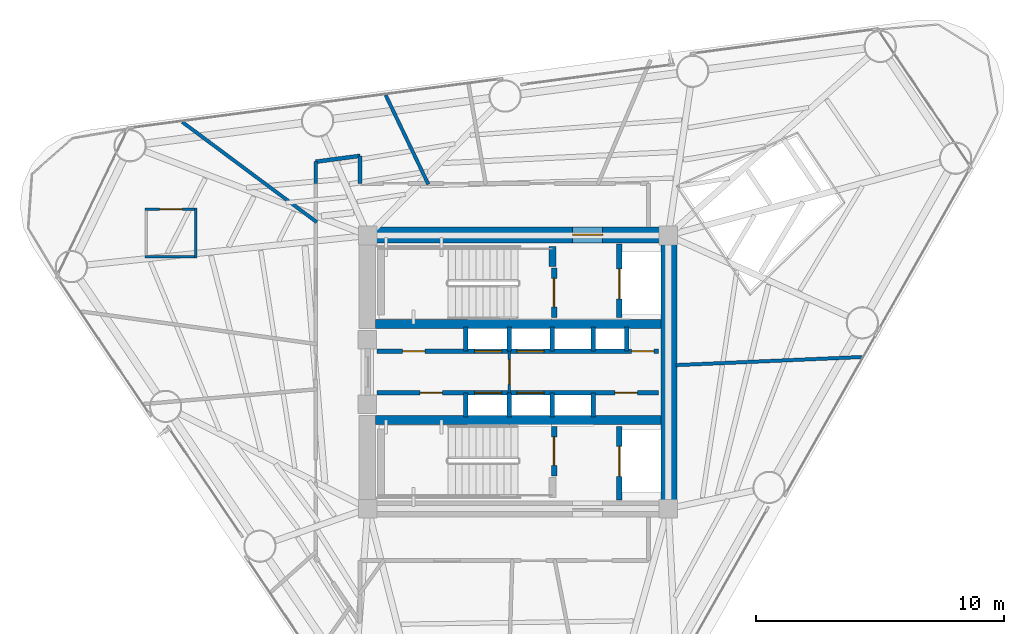
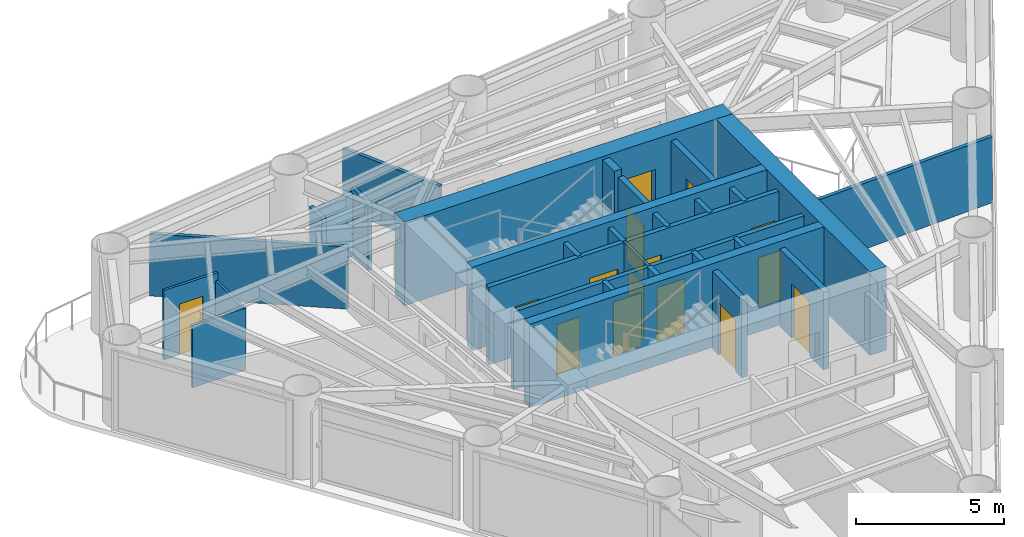
# One storey, part 6 of 10: 30 walls, 15 doors, 15 openings.
"""IFC4 building model written with IfcOpenShell, lengths in metres."""

from ifc_helpers import new_model, si_unit, direction, frame, frame_2d, origin, place, context, subcontext, project, spatial, rectangle, extrude, material, layer, layer_set, type_object, element, fill, save


model = new_model("IFC4")

# Units and contexts
model_context = context("Model", 3, precision=1e-05, world=origin(), true_north=direction((0.0, 1.0)))
body_context = subcontext(model_context, "Body", "Model", "MODEL_VIEW")
ifc_project = project(units=[si_unit("LENGTHUNIT", "METRE"), si_unit("AREAUNIT", "SQUARE_METRE"), si_unit("VOLUMEUNIT", "CUBIC_METRE"), si_unit("PLANEANGLEUNIT", "RADIAN"), si_unit("MASSUNIT", "GRAM", prefix="KILO")], contexts=[model_context])

# Site, building, storey
site_placement = place(None, origin())
site = spatial("IfcSite", under=ifc_project, at=site_placement, CompositionType="ELEMENT")
building_placement = place(site_placement, origin())
building = spatial("IfcBuilding", under=site, at=building_placement, Name="Yunling Apex Tower", CompositionType="ELEMENT")
storey_placement = place(building_placement, frame((0.0, 0.0, 182.89990234375)))
storey = spatial("IfcBuildingStorey", under=building, at=storey_placement, Name="L45", CompositionType="ELEMENT", Elevation=182.89990234375)

# Wall, opening, door
ifc_material_1 = material(Name="Concrete C50", Category="concrete")
ifc_layer_1 = layer(ifc_material_1, 0.64990234375)
ifc_layer_set_1 = layer_set([ifc_layer_1], Name="Concrete C50")
wall_type_1 = type_object("IfcWallType", Name="WL-COR-2", PredefinedType="SHEAR", material=ifc_layer_set_1)
wall_1_placement = place(storey_placement, frame((-6.39990234375, 5.52490234375, 0.0), z_axis=(0.0, 0.0, 1.0), x_axis=(1.0, 0.0, 0.0)))
wall_1 = element("IfcWall", 1, at=wall_1_placement, inside=storey, type_object=wall_type_1, Name="L45 North Core Shear Wall", PredefinedType="SHEAR", context=body_context, shape_type="SweptSolid", body=[
    extrude(rectangle(XDim=12.7998046875, YDim=0.64990234375, at=frame_2d((6.39990234375, 0.0))), origin(), (0.0, 0.0, 1.0), 3.4501953125),
])
opening_1_placement = place(wall_1_placement, frame((8.60009765625, 0.0, 0.0)))
opening_1 = element("IfcOpeningElement", 2, at=opening_1_placement, cuts=wall_1, Name="Opening DR-FFL-1", PredefinedType="OPENING", context=body_context, shape_type="SweptSolid", body=[
    extrude(rectangle(XDim=1.199951171875, YDim=2.199951171875, at=frame_2d((0.60009765625, 1.10009765625))), frame((0.0, 0.3349609375, 0.0), z_axis=(0.0, -1.0, 0.0), x_axis=(1.0, 0.0, 0.0)), (0.0, 0.0, 1.0), 0.669921875),
])
ifc_material_2 = material(Name="Steel Q355B", Category="steel")
door_type_1 = type_object("IfcDoorType", Name="DR-FFL-1", OperationType="NOTDEFINED", PredefinedType="DOOR", material=ifc_material_2)
door_1_placement = place(opening_1_placement, origin())
door_1 = element("IfcDoor", 3, at=door_1_placement, inside=storey, type_object=door_type_1, Name="L45 North Firefighting Lobby Door", OperationType="SINGLE_SWING_LEFT", OverallHeight=2.199951171875, OverallWidth=1.199951171875, PredefinedType="DOOR", context=body_context, shape_type="SweptSolid", body=[
    extrude(rectangle(XDim=1.199951171875, YDim=2.199951171875, at=frame_2d((0.60009765625, 1.10009765625))), frame((0.0, 0.02490234375, 0.0), z_axis=(0.0, -1.0, 0.0), x_axis=(1.0, 0.0, 0.0)), (0.0, 0.0, 1.0), 0.050048828125),
])
fill(opening_1, door_1)

# Walls
wall_2_placement = place(storey_placement, frame((6.074951171875, -5.199951171875, 0.0), z_axis=(0.0, 0.0, 1.0), x_axis=(0.0, 1.0, 0.0)))
element("IfcWall", 4, at=wall_2_placement, inside=storey, type_object=wall_type_1, Name="L45 East Core Shear Wall", PredefinedType="SHEAR", context=body_context, shape_type="SweptSolid", body=[
    extrude(rectangle(XDim=10.39990234375, YDim=0.64990234375, at=frame_2d((5.199951171875, 0.0))), origin(), (0.0, 0.0, 1.0), 3.4501953125),
])
ifc_material_3 = material(Name="Concrete C40", Category="concrete")
ifc_layer_2 = layer(ifc_material_3, 0.360107421875)
ifc_layer_set_2 = layer_set([ifc_layer_2], Name="Concrete C40")
wall_type_2 = type_object("IfcWallType", Name="WL-COR-4", PredefinedType="SHEAR", material=ifc_layer_set_2)
for number, where, z_axis, x_axis, name in (
    (5, (-5.75, 1.93994140625, 0.0), (0.0, 0.0, 1.0), (1.0, 0.0, 0.0), "L45 North Internal Core Shear Wall"),
    (6, (-5.75, -1.93994140625, 0.0), (0.0, 0.0, 1.0), (1.0, 0.0, 0.0), "L45 South Internal Core Shear Wall"),
):
    element("IfcWall", number, at=place(storey_placement, frame(where, z_axis=z_axis, x_axis=x_axis)), inside=storey, type_object=wall_type_2, Name=name, PredefinedType="SHEAR", context=body_context, shape_type="SweptSolid", body=[
        extrude(rectangle(XDim=11.5, YDim=0.360107421875, at=frame_2d((5.75, 0.0))), origin(), (0.0, 0.0, 1.0), 3.4501953125),
    ])
ifc_layer_3 = layer(ifc_material_3, 0.280029296875)
ifc_layer_set_3 = layer_set([ifc_layer_3], Name="Concrete C40")
wall_type_3 = type_object("IfcWallType", Name="WL-COR-8", PredefinedType="SHEAR", material=ifc_layer_set_3)
wall_3_placement = place(storey_placement, frame((1.3798828125, 4.25, 0.0), z_axis=(0.0, 0.0, 1.0), x_axis=(0.0, 1.0, 0.0)))
element("IfcWall", 7, at=wall_3_placement, inside=storey, type_object=wall_type_3, Name="L45 ST-1 East Landing Bearing Pier", PredefinedType="SHEAR", context=body_context, shape_type="SweptSolid", body=[
    extrude(rectangle(XDim=0.800048828125, YDim=0.280029296875, at=frame_2d((0.39990234375, 0.0))), origin(), (0.0, 0.0, 1.0), 3.4501953125),
])
ifc_material_4 = material(Name="Gypsum board acoustic partition")
ifc_layer_4 = layer(ifc_material_4, 0.159912109375)
ifc_layer_set_4 = layer_set([ifc_layer_4], Name="Gypsum board acoustic partition")
wall_type_4 = type_object("IfcWallType", Name="WL-PRT-1", PredefinedType="PARTITIONING", material=ifc_layer_set_4)
wall_4_placement = place(storey_placement, frame((-8.14990234375, 7.60009765625, 0.0), z_axis=(0.0, 0.0, 1.0), x_axis=(0.0, 1.0, 0.0)))
element("IfcWall", 8, at=wall_4_placement, inside=storey, type_object=wall_type_4, Name="WL-CORR-L45-03", PredefinedType="PARTITIONING", context=body_context, shape_type="SweptSolid", body=[
    extrude(rectangle(XDim=0.870361328125, YDim=0.159912109375, at=frame_2d((0.43505859375, 0.0))), origin(), (0.0, 0.0, 1.0), 2.76513671875),
])
wall_5_placement = place(storey_placement, frame((-8.14990234375, 8.470458984375, 0.0), z_axis=(0.0, 0.0, 1.0), x_axis=(0.991342086618, 0.131304483168, 0.0)))
element("IfcWall", 9, at=wall_5_placement, inside=storey, type_object=wall_type_4, Name="WL-CORR-L45-04", PredefinedType="PARTITIONING", context=body_context, shape_type="SweptSolid", body=[
    extrude(rectangle(XDim=1.805419921875, YDim=0.159912109375, at=frame_2d((0.90283203125, 0.0))), origin(), (0.0, 0.0, 1.0), 2.565185546875),
])
wall_6_placement = place(storey_placement, frame((-6.360107421875, 8.70751953125, 0.0), z_axis=(0.0, 0.0, 1.0), x_axis=(0.0, -1.0, 0.0)))
element("IfcWall", 10, at=wall_6_placement, inside=storey, type_object=wall_type_4, Name="WL-CORR-L45-05", PredefinedType="PARTITIONING", context=body_context, shape_type="SweptSolid", body=[
    extrude(rectangle(XDim=1.107421875, YDim=0.159912109375, at=frame_2d((0.5537109375, 0.0))), origin(), (0.0, 0.0, 1.0), 2.76513671875),
])
ifc_layer_5 = layer(ifc_material_4, 0.139892578125)
ifc_layer_set_5 = layer_set([ifc_layer_5], Name="Gypsum board acoustic partition")
wall_type_5 = type_object("IfcWallType", Name="WL-PRT-2", PredefinedType="PARTITIONING", material=ifc_layer_set_5)
wall_7_placement = place(storey_placement, frame((6.360107421875, 0.277587890625, 0.0), z_axis=(0.0, 0.0, 1.0), x_axis=(0.999047543566, 0.043634913719, 0.0)))
element("IfcWall", 11, at=wall_7_placement, inside=storey, type_object=wall_type_5, Name="WL-RAD-L45-01", PredefinedType="PARTITIONING", context=body_context, shape_type="SweptSolid", body=[
    extrude(rectangle(XDim=7.5029296875, YDim=0.139892578125, at=frame_2d((3.75146484375, 0.0))), origin(), (0.0, 0.0, 1.0), 2.72509765625),
])
wall_8_placement = place(storey_placement, frame((-3.614990234375, 7.56005859375, 0.0), z_axis=(0.0, 0.0, 1.0), x_axis=(-0.431353551372, 0.902182971308, 0.0)))
element("IfcWall", 12, at=wall_8_placement, inside=storey, type_object=wall_type_5, Name="WL-RAD-L45-04", PredefinedType="PARTITIONING", context=body_context, shape_type="SweptSolid", body=[
    extrude(rectangle(XDim=3.98291015625, YDim=0.139892578125, at=frame_2d((1.991455078125, 0.0))), origin(), (0.0, 0.0, 1.0), 2.565185546875),
])
wall_9_placement = place(storey_placement, frame((-8.110107421875, 6.03759765625, 0.0), z_axis=(0.0, 0.0, 1.0), x_axis=(-0.802099870975, 0.597189917012, 0.0)))
element("IfcWall", 13, at=wall_9_placement, inside=storey, type_object=wall_type_5, Name="WL-RAD-L45-05", PredefinedType="PARTITIONING", context=body_context, shape_type="SweptSolid", body=[
    extrude(rectangle(XDim=6.750732421875, YDim=0.139892578125, at=frame_2d((3.37548828125, 0.0))), origin(), (0.0, 0.0, 1.0), 2.565185546875),
])

# Wall, opening, door
ifc_layer_6 = layer(ifc_material_4, 0.10009765625)
ifc_layer_set_6 = layer_set([ifc_layer_6], Name="Gypsum board acoustic partition")
wall_type_6 = type_object("IfcWallType", Name="WL-PRT-4", PredefinedType="PARTITIONING", material=ifc_layer_set_6)
wall_10_placement = place(storey_placement, frame((-0.35009765625, -0.840087890625, 0.0), z_axis=(0.0, 0.0, 1.0), x_axis=(0.0, 1.0, 0.0)))
wall_10 = element("IfcWall", 14, at=wall_10_placement, inside=storey, type_object=wall_type_6, Name="WL-LOB-MID-L45", PredefinedType="PARTITIONING", context=body_context, shape_type="SweptSolid", body=[
    extrude(rectangle(XDim=1.68017578125, YDim=0.10009765625, at=frame_2d((0.840087890625, 0.0))), origin(), (0.0, 0.0, 1.0), 3.210205078125),
])
opening_2_placement = place(wall_10_placement, frame((0.340087890625, 0.0, 0.0)))
opening_2 = element("IfcOpeningElement", 15, at=opening_2_placement, cuts=wall_10, Name="Opening DR-OFF-1", PredefinedType="OPENING", context=body_context, shape_type="SweptSolid", body=[
    extrude(rectangle(XDim=1.0, YDim=2.25, at=frame_2d((0.5, 1.125))), frame((0.0, 0.06005859375, 0.0), z_axis=(0.0, -1.0, 0.0), x_axis=(1.0, 0.0, 0.0)), (0.0, 0.0, 1.0), 0.1201171875),
])
ifc_material_5 = material(Name="Bronze anodised aluminium", Category="aluminium")
door_type_2 = type_object("IfcDoorType", Name="DR-OFF-1", OperationType="NOTDEFINED", PredefinedType="DOOR", material=ifc_material_5)
door_2_placement = place(opening_2_placement, origin())
door_2 = element("IfcDoor", 16, at=door_2_placement, inside=storey, type_object=door_type_2, Name="L45 Core Lobby Link Door", OperationType="SINGLE_SWING_LEFT", OverallHeight=2.25, OverallWidth=1.0, PredefinedType="DOOR", context=body_context, shape_type="SweptSolid", body=[
    extrude(rectangle(XDim=1.0, YDim=2.25, at=frame_2d((0.5, 1.125))), frame((0.0, 0.02490234375, 0.0), z_axis=(0.0, -1.0, 0.0), x_axis=(1.0, 0.0, 0.0)), (0.0, 0.0, 1.0), 0.050048828125),
])
fill(opening_2, door_2)

wall_11_placement = place(storey_placement, frame((-15.031982421875, 6.551025390625, 0.0), z_axis=(0.0, 0.0, 1.0), x_axis=(1.0, 0.0, 0.0)))
wall_11 = element("IfcWall", 17, at=wall_11_placement, inside=storey, type_object=wall_type_6, Name="WL-ENS-L45-10N", PredefinedType="PARTITIONING", context=body_context, shape_type="SweptSolid", body=[
    extrude(rectangle(XDim=2.10009765625, YDim=0.10009765625, at=frame_2d((1.050048828125, 0.0))), origin(), (0.0, 0.0, 1.0), 2.864990234375),
])
opening_3_placement = place(wall_11_placement, frame((0.590087890625, 0.0, 0.0)))
opening_3 = element("IfcOpeningElement", 18, at=opening_3_placement, cuts=wall_11, Name="Opening DR-WC-1", PredefinedType="OPENING", context=body_context, shape_type="SweptSolid", body=[
    extrude(rectangle(XDim=0.919921875, YDim=2.10009765625, at=frame_2d((0.4599609375, 1.050048828125))), frame((0.0, 0.06005859375, 0.0), z_axis=(0.0, -1.0, 0.0), x_axis=(1.0, 0.0, 0.0)), (0.0, 0.0, 1.0), 0.1201171875),
])
ifc_material_6 = material(Name="Timber moisture-resistant leaf", Category="wood")
door_type_3 = type_object("IfcDoorType", Name="DR-WC-1", OperationType="NOTDEFINED", PredefinedType="DOOR", material=ifc_material_6)
door_3_placement = place(opening_3_placement, origin())
door_3 = element("IfcDoor", 19, at=door_3_placement, inside=storey, type_object=door_type_3, Name="L45 En-Suite Door", OperationType="SINGLE_SWING_LEFT", OverallHeight=2.10009765625, OverallWidth=0.919921875, PredefinedType="DOOR", context=body_context, shape_type="SweptSolid", body=[
    extrude(rectangle(XDim=0.919921875, YDim=2.10009765625, at=frame_2d((0.4599609375, 1.050048828125))), frame((0.0, 0.02490234375, 0.0), z_axis=(0.0, -1.0, 0.0), x_axis=(1.0, 0.0, 0.0)), (0.0, 0.0, 1.0), 0.050048828125),
])
fill(opening_3, door_3)

# Walls
wall_12_placement = place(storey_placement, frame((-12.931884765625, 4.65087890625, 0.0), z_axis=(0.0, 0.0, 1.0), x_axis=(-1.0, 0.0, 0.0)))
element("IfcWall", 20, at=wall_12_placement, inside=storey, type_object=wall_type_6, Name="WL-ENS-L45-10S", PredefinedType="PARTITIONING", context=body_context, shape_type="SweptSolid", body=[
    extrude(rectangle(XDim=2.10009765625, YDim=0.10009765625, at=frame_2d((1.050048828125, 0.0))), origin(), (0.0, 0.0, 1.0), 2.565185546875),
])
wall_13_placement = place(storey_placement, frame((-12.98193359375, 6.60107421875, 0.0), z_axis=(0.0, 0.0, 1.0), x_axis=(0.0, -1.0, 0.0)))
element("IfcWall", 21, at=wall_13_placement, inside=storey, type_object=wall_type_6, Name="WL-ENS-L45-10E", PredefinedType="PARTITIONING", context=body_context, shape_type="SweptSolid", body=[
    extrude(rectangle(XDim=2.0, YDim=0.10009765625, at=frame_2d((1.0, 0.0))), origin(), (0.0, 0.0, 1.0), 2.565185546875),
])

# Wall, opening, door
ifc_material_7 = material(Name="Autoclaved aerated concrete masonry", Category="masonry")
ifc_layer_7 = layer(ifc_material_7, 0.219970703125)
ifc_layer_set_7 = layer_set([ifc_layer_7], Name="Autoclaved aerated concrete masonry")
wall_type_7 = type_object("IfcWallType", Name="WL-SHF-1", PredefinedType="PLUMBINGWALL", material=ifc_layer_set_7)
wall_14_placement = place(storey_placement, frame((1.449951171875, 2.199951171875, 0.0), z_axis=(0.0, 0.0, 1.0), x_axis=(0.0, 1.0, 0.0)))
wall_14 = element("IfcWall", 22, at=wall_14_placement, inside=storey, type_object=wall_type_7, Name="WL-ST1-E-L45", PredefinedType="PLUMBINGWALL", context=body_context, shape_type="SweptSolid", body=[
    extrude(rectangle(XDim=1.97998046875, YDim=0.219970703125, at=frame_2d((0.989990234375, 0.0))), origin(), (0.0, 0.0, 1.0), 3.210205078125),
])
opening_4_placement = place(wall_14_placement, frame((0.419921875, 0.0, 0.0)))
opening_4 = element("IfcOpeningElement", 23, at=opening_4_placement, cuts=wall_14, Name="Opening DR-ST-1", PredefinedType="OPENING", context=body_context, shape_type="SweptSolid", body=[
    extrude(rectangle(XDim=1.14990234375, YDim=2.14990234375, at=frame_2d((0.574951171875, 1.074951171875))), frame((0.0, 0.1201171875, 0.0), z_axis=(0.0, -1.0, 0.0), x_axis=(1.0, 0.0, 0.0)), (0.0, 0.0, 1.0), 0.239990234375),
])
door_type_4 = type_object("IfcDoorType", Name="DR-ST-1", OperationType="NOTDEFINED", PredefinedType="DOOR", material=ifc_material_2)
door_4_placement = place(opening_4_placement, origin())
door_4 = element("IfcDoor", 24, at=door_4_placement, inside=storey, type_object=door_type_4, Name="L45 Stair ST-1 Fire Door", OperationType="SINGLE_SWING_LEFT", OverallHeight=2.14990234375, OverallWidth=1.14990234375, PredefinedType="DOOR", context=body_context, shape_type="SweptSolid", body=[
    extrude(rectangle(XDim=1.14990234375, YDim=2.14990234375, at=frame_2d((0.574951171875, 1.074951171875))), frame((0.0, 0.02490234375, 0.0), z_axis=(0.0, -1.0, 0.0), x_axis=(1.0, 0.0, 0.0)), (0.0, 0.0, 1.0), 0.050048828125),
])
fill(opening_4, door_4)

wall_15_placement = place(storey_placement, frame((4.080078125, 2.199951171875, 0.0), z_axis=(0.0, 0.0, 1.0), x_axis=(0.0, 1.0, 0.0)))
wall_15 = element("IfcWall", 25, at=wall_15_placement, inside=storey, type_object=wall_type_7, Name="WL-FFL1-W-L45", PredefinedType="PLUMBINGWALL", context=body_context, shape_type="SweptSolid", body=[
    extrude(rectangle(XDim=2.949951171875, YDim=0.219970703125, at=frame_2d((1.47509765625, 0.0))), origin(), (0.0, 0.0, 1.0), 3.210205078125),
])
opening_5_placement = place(wall_15_placement, frame((0.75, 0.0, 0.0)))
opening_5 = element("IfcOpeningElement", 26, at=opening_5_placement, cuts=wall_15, Name="Opening LD-FFL-1", PredefinedType="OPENING", context=body_context, shape_type="SweptSolid", body=[
    extrude(rectangle(XDim=1.199951171875, YDim=2.25, at=frame_2d((0.60009765625, 1.125))), frame((0.0, 0.1201171875, 0.0), z_axis=(0.0, -1.0, 0.0), x_axis=(1.0, 0.0, 0.0)), (0.0, 0.0, 1.0), 0.239990234375),
])
door_type_5 = type_object("IfcDoorType", Name="LD-FFL-1", OperationType="DOUBLE_DOOR_SLIDING", PredefinedType="DOOR", material=ifc_material_2)
door_5_placement = place(opening_5_placement, origin())
door_5 = element("IfcDoor", 27, at=door_5_placement, inside=storey, type_object=door_type_5, Name="L45 Lift FFL-1 Landing Door", OperationType="DOUBLE_DOOR_SLIDING", OverallHeight=2.25, OverallWidth=1.199951171875, PredefinedType="DOOR", context=body_context, shape_type="SweptSolid", body=[
    extrude(rectangle(XDim=1.199951171875, YDim=2.25, at=frame_2d((0.60009765625, 1.125))), frame((0.0, 0.02490234375, 0.0), z_axis=(0.0, -1.0, 0.0), x_axis=(1.0, 0.0, 0.0)), (0.0, 0.0, 1.0), 0.050048828125),
])
fill(opening_5, door_5)

wall_16_placement = place(storey_placement, frame((1.449951171875, -4.179931640625, 0.0), z_axis=(0.0, 0.0, 1.0), x_axis=(0.0, 1.0, 0.0)))
wall_16 = element("IfcWall", 28, at=wall_16_placement, inside=storey, type_object=wall_type_7, Name="WL-ST2-E-L45", PredefinedType="PLUMBINGWALL", context=body_context, shape_type="SweptSolid", body=[
    extrude(rectangle(XDim=1.97998046875, YDim=0.219970703125, at=frame_2d((0.989990234375, 0.0))), origin(), (0.0, 0.0, 1.0), 3.210205078125),
])
opening_6_placement = place(wall_16_placement, frame((0.419921875, 0.0, 0.0)))
opening_6 = element("IfcOpeningElement", 29, at=opening_6_placement, cuts=wall_16, Name="Opening DR-ST-1", PredefinedType="OPENING", context=body_context, shape_type="SweptSolid", body=[
    extrude(rectangle(XDim=1.14990234375, YDim=2.14990234375, at=frame_2d((0.574951171875, 1.074951171875))), frame((0.0, 0.1201171875, 0.0), z_axis=(0.0, -1.0, 0.0), x_axis=(1.0, 0.0, 0.0)), (0.0, 0.0, 1.0), 0.239990234375),
])
door_6_placement = place(opening_6_placement, origin())
door_6 = element("IfcDoor", 30, at=door_6_placement, inside=storey, type_object=door_type_4, Name="L45 Stair ST-2 Fire Door", OperationType="SINGLE_SWING_RIGHT", OverallHeight=2.14990234375, OverallWidth=1.14990234375, PredefinedType="DOOR", context=body_context, shape_type="SweptSolid", body=[
    extrude(rectangle(XDim=1.14990234375, YDim=2.14990234375, at=frame_2d((0.574951171875, 1.074951171875))), frame((0.0, 0.02490234375, 0.0), z_axis=(0.0, -1.0, 0.0), x_axis=(1.0, 0.0, 0.0)), (0.0, 0.0, 1.0), 0.050048828125),
])
fill(opening_6, door_6)

wall_17_placement = place(storey_placement, frame((4.080078125, -5.14990234375, 0.0), z_axis=(0.0, 0.0, 1.0), x_axis=(0.0, 1.0, 0.0)))
wall_17 = element("IfcWall", 31, at=wall_17_placement, inside=storey, type_object=wall_type_7, Name="WL-FFL2-W-L45", PredefinedType="PLUMBINGWALL", context=body_context, shape_type="SweptSolid", body=[
    extrude(rectangle(XDim=2.949951171875, YDim=0.219970703125, at=frame_2d((1.47509765625, 0.0))), origin(), (0.0, 0.0, 1.0), 3.210205078125),
])
opening_7_placement = place(wall_17_placement, frame((0.949951171875, 0.0, 0.0)))
opening_7 = element("IfcOpeningElement", 32, at=opening_7_placement, cuts=wall_17, Name="Opening LD-FFL-1", PredefinedType="OPENING", context=body_context, shape_type="SweptSolid", body=[
    extrude(rectangle(XDim=1.199951171875, YDim=2.25, at=frame_2d((0.60009765625, 1.125))), frame((0.0, 0.1201171875, 0.0), z_axis=(0.0, -1.0, 0.0), x_axis=(1.0, 0.0, 0.0)), (0.0, 0.0, 1.0), 0.239990234375),
])
door_7_placement = place(opening_7_placement, origin())
door_7 = element("IfcDoor", 33, at=door_7_placement, inside=storey, type_object=door_type_5, Name="L45 Lift FFL-2 Landing Door", OperationType="DOUBLE_DOOR_SLIDING", OverallHeight=2.25, OverallWidth=1.199951171875, PredefinedType="DOOR", context=body_context, shape_type="SweptSolid", body=[
    extrude(rectangle(XDim=1.199951171875, YDim=2.25, at=frame_2d((0.60009765625, 1.125))), frame((0.0, 0.02490234375, 0.0), z_axis=(0.0, -1.0, 0.0), x_axis=(1.0, 0.0, 0.0)), (0.0, 0.0, 1.0), 0.050048828125),
])
fill(opening_7, door_7)

# Walls
ifc_layer_8 = layer(ifc_material_7, 0.179931640625)
ifc_layer_set_8 = layer_set([ifc_layer_8], Name="Autoclaved aerated concrete masonry")
wall_type_8 = type_object("IfcWallType", Name="WL-SHF-2", PredefinedType="PLUMBINGWALL", material=ifc_layer_set_8)
for number, where, z_axis, x_axis, name in (
    (34, (-2.10009765625, 0.840087890625, 0.0), (0.0, 0.0, 1.0), (0.0, 1.0, 0.0), "WL-BNK-LM-N-L45"),
    (35, (-2.10009765625, -1.820068359375, 0.0), (0.0, 0.0, 1.0), (0.0, 1.0, 0.0), "WL-BNK-LM-S-L45"),
    (36, (-0.35009765625, 0.840087890625, 0.0), (0.0, 0.0, 1.0), (0.0, 1.0, 0.0), "WL-DIV-M12-L45"),
    (37, (-0.35009765625, -1.820068359375, 0.0), (0.0, 0.0, 1.0), (0.0, 1.0, 0.0), "WL-DIV-M34-L45"),
    (38, (1.3798828125, 0.840087890625, 0.0), (0.0, 0.0, 1.0), (0.0, 1.0, 0.0), "WL-BNK-MH-N-L45"),
    (39, (1.3798828125, -1.820068359375, 0.0), (0.0, 0.0, 1.0), (0.0, 1.0, 0.0), "WL-BNK-MH-S-L45"),
    (40, (3.02001953125, 0.840087890625, 0.0), (0.0, 0.0, 1.0), (0.0, 1.0, 0.0), "WL-DIV-H13-L45"),
    (41, (4.3798828125, 0.840087890625, 0.0), (0.0, 0.0, 1.0), (0.0, 1.0, 0.0), "WL-END-H3E-L45"),
    (42, (3.02001953125, -1.820068359375, 0.0), (0.0, 0.0, 1.0), (0.0, 1.0, 0.0), "WL-END-H2E-L45"),
):
    element("IfcWall", number, at=place(storey_placement, frame(where, z_axis=z_axis, x_axis=x_axis)), inside=storey, type_object=wall_type_8, Name=name, PredefinedType="PLUMBINGWALL", context=body_context, shape_type="SweptSolid", body=[
        extrude(rectangle(XDim=0.97998046875, YDim=0.179931640625, at=frame_2d((0.489990234375, 0.0))), origin(), (0.0, 0.0, 1.0), 3.210205078125),
    ])

# Wall, openings, doors
wall_18_placement = place(storey_placement, frame((-5.679931640625, 0.840087890625, 0.0), z_axis=(0.0, 0.0, 1.0), x_axis=(1.0, 0.0, 0.0)))
wall_18 = element("IfcWall", 43, at=wall_18_placement, inside=storey, type_object=wall_type_8, Name="WL-LOB-N-L45", PredefinedType="PLUMBINGWALL", context=body_context, shape_type="SweptSolid", body=[
    extrude(rectangle(XDim=11.329833984375, YDim=0.179931640625, at=frame_2d((5.6650390625, 0.0))), origin(), (0.0, 0.0, 1.0), 3.210205078125),
])
opening_8_placement = place(wall_18_placement, frame((1.030029296875, 0.0, 0.0)))
opening_8 = element("IfcOpeningElement", 44, at=opening_8_placement, cuts=wall_18, Name="Opening DR-SHF-1", PredefinedType="OPENING", context=body_context, shape_type="SweptSolid", body=[
    extrude(rectangle(XDim=0.89990234375, YDim=2.050048828125, at=frame_2d((0.449951171875, 1.02490234375))), frame((0.0, 0.10009765625, 0.0), z_axis=(0.0, -1.0, 0.0), x_axis=(1.0, 0.0, 0.0)), (0.0, 0.0, 1.0), 0.199951171875),
])
opening_9_placement = place(wall_18_placement, frame((3.929931640625, 0.0, 0.0)))
opening_9 = element("IfcOpeningElement", 45, at=opening_9_placement, cuts=wall_18, Name="Opening LD-PAS-1", PredefinedType="OPENING", context=body_context, shape_type="SweptSolid", body=[
    extrude(rectangle(XDim=1.10009765625, YDim=2.199951171875, at=frame_2d((0.550048828125, 1.10009765625))), frame((0.0, 0.10009765625, 0.0), z_axis=(0.0, -1.0, 0.0), x_axis=(1.0, 0.0, 0.0)), (0.0, 0.0, 1.0), 0.199951171875),
])
opening_10_placement = place(wall_18_placement, frame((5.6298828125, 0.0, 0.0)))
opening_10 = element("IfcOpeningElement", 46, at=opening_10_placement, cuts=wall_18, Name="Opening LD-PAS-1", PredefinedType="OPENING", context=body_context, shape_type="SweptSolid", body=[
    extrude(rectangle(XDim=1.10009765625, YDim=2.199951171875, at=frame_2d((0.550048828125, 1.10009765625))), frame((0.0, 0.10009765625, 0.0), z_axis=(0.0, -1.0, 0.0), x_axis=(1.0, 0.0, 0.0)), (0.0, 0.0, 1.0), 0.199951171875),
])
opening_11_placement = place(wall_18_placement, frame((10.25, 0.0, 0.0)))
opening_11 = element("IfcOpeningElement", 47, at=opening_11_placement, cuts=wall_18, Name="Opening DR-SHF-1", PredefinedType="OPENING", context=body_context, shape_type="SweptSolid", body=[
    extrude(rectangle(XDim=0.89990234375, YDim=2.050048828125, at=frame_2d((0.449951171875, 1.02490234375))), frame((0.0, 0.10009765625, 0.0), z_axis=(0.0, -1.0, 0.0), x_axis=(1.0, 0.0, 0.0)), (0.0, 0.0, 1.0), 0.199951171875),
])
door_type_6 = type_object("IfcDoorType", Name="DR-SHF-1", OperationType="NOTDEFINED", PredefinedType="DOOR", material=ifc_material_2)
door_8_placement = place(opening_8_placement, origin())
door_8 = element("IfcDoor", 48, at=door_8_placement, inside=storey, type_object=door_type_6, Name="L45 LV Switchgear Door", OperationType="SINGLE_SWING_RIGHT", OverallHeight=2.050048828125, OverallWidth=0.89990234375, PredefinedType="DOOR", context=body_context, shape_type="SweptSolid", body=[
    extrude(rectangle(XDim=0.89990234375, YDim=2.050048828125, at=frame_2d((0.449951171875, 1.02490234375))), frame((0.0, 0.02490234375, 0.0), z_axis=(0.0, -1.0, 0.0), x_axis=(1.0, 0.0, 0.0)), (0.0, 0.0, 1.0), 0.050048828125),
])
fill(opening_8, door_8)
door_9_placement = place(opening_11_placement, origin())
door_9 = element("IfcDoor", 49, at=door_9_placement, inside=storey, type_object=door_type_6, Name="L45 Core Janitor Closet Door", OperationType="SINGLE_SWING_LEFT", OverallHeight=2.050048828125, OverallWidth=0.89990234375, PredefinedType="DOOR", context=body_context, shape_type="SweptSolid", body=[
    extrude(rectangle(XDim=0.89990234375, YDim=2.050048828125, at=frame_2d((0.449951171875, 1.02490234375))), frame((0.0, 0.02490234375, 0.0), z_axis=(0.0, -1.0, 0.0), x_axis=(1.0, 0.0, 0.0)), (0.0, 0.0, 1.0), 0.050048828125),
])
fill(opening_11, door_9)
ifc_material_8 = material(Name="Silver anodised aluminium", Category="aluminium")
door_type_7 = type_object("IfcDoorType", Name="LD-PAS-1", OperationType="DOUBLE_DOOR_SLIDING", PredefinedType="DOOR", material=ifc_material_8)
door_10_placement = place(opening_9_placement, origin())
door_10 = element("IfcDoor", 50, at=door_10_placement, inside=storey, type_object=door_type_7, Name="L45 Lift PL-M1 Landing Door", OperationType="DOUBLE_DOOR_SLIDING", OverallHeight=2.199951171875, OverallWidth=1.10009765625, PredefinedType="DOOR", context=body_context, shape_type="SweptSolid", body=[
    extrude(rectangle(XDim=1.10009765625, YDim=2.199951171875, at=frame_2d((0.550048828125, 1.10009765625))), frame((0.0, 0.02490234375, 0.0), z_axis=(0.0, -1.0, 0.0), x_axis=(1.0, 0.0, 0.0)), (0.0, 0.0, 1.0), 0.050048828125),
])
fill(opening_9, door_10)
door_11_placement = place(opening_10_placement, origin())
door_11 = element("IfcDoor", 51, at=door_11_placement, inside=storey, type_object=door_type_7, Name="L45 Lift PL-M2 Landing Door", OperationType="DOUBLE_DOOR_SLIDING", OverallHeight=2.199951171875, OverallWidth=1.10009765625, PredefinedType="DOOR", context=body_context, shape_type="SweptSolid", body=[
    extrude(rectangle(XDim=1.10009765625, YDim=2.199951171875, at=frame_2d((0.550048828125, 1.10009765625))), frame((0.0, 0.02490234375, 0.0), z_axis=(0.0, -1.0, 0.0), x_axis=(1.0, 0.0, 0.0)), (0.0, 0.0, 1.0), 0.050048828125),
])
fill(opening_10, door_11)

wall_19_placement = place(storey_placement, frame((-5.679931640625, -0.840087890625, 0.0), z_axis=(0.0, 0.0, 1.0), x_axis=(1.0, 0.0, 0.0)))
wall_19 = element("IfcWall", 52, at=wall_19_placement, inside=storey, type_object=wall_type_8, Name="WL-LOB-S-L45", PredefinedType="PLUMBINGWALL", context=body_context, shape_type="SweptSolid", body=[
    extrude(rectangle(XDim=11.329833984375, YDim=0.179931640625, at=frame_2d((5.6650390625, 0.0))), origin(), (0.0, 0.0, 1.0), 3.210205078125),
])
opening_12_placement = place(wall_19_placement, frame((1.72998046875, 0.0, 0.0)))
opening_12 = element("IfcOpeningElement", 53, at=opening_12_placement, cuts=wall_19, Name="Opening DR-SHF-1", PredefinedType="OPENING", context=body_context, shape_type="SweptSolid", body=[
    extrude(rectangle(XDim=0.89990234375, YDim=2.050048828125, at=frame_2d((0.449951171875, 1.02490234375))), frame((0.0, 0.10009765625, 0.0), z_axis=(0.0, -1.0, 0.0), x_axis=(1.0, 0.0, 0.0)), (0.0, 0.0, 1.0), 0.199951171875),
])
opening_13_placement = place(wall_19_placement, frame((3.929931640625, 0.0, 0.0)))
opening_13 = element("IfcOpeningElement", 54, at=opening_13_placement, cuts=wall_19, Name="Opening LD-PAS-1", PredefinedType="OPENING", context=body_context, shape_type="SweptSolid", body=[
    extrude(rectangle(XDim=1.10009765625, YDim=2.199951171875, at=frame_2d((0.550048828125, 1.10009765625))), frame((0.0, 0.10009765625, 0.0), z_axis=(0.0, -1.0, 0.0), x_axis=(1.0, 0.0, 0.0)), (0.0, 0.0, 1.0), 0.199951171875),
])
opening_14_placement = place(wall_19_placement, frame((5.6298828125, 0.0, 0.0)))
opening_14 = element("IfcOpeningElement", 55, at=opening_14_placement, cuts=wall_19, Name="Opening LD-PAS-1", PredefinedType="OPENING", context=body_context, shape_type="SweptSolid", body=[
    extrude(rectangle(XDim=1.10009765625, YDim=2.199951171875, at=frame_2d((0.550048828125, 1.10009765625))), frame((0.0, 0.10009765625, 0.0), z_axis=(0.0, -1.0, 0.0), x_axis=(1.0, 0.0, 0.0)), (0.0, 0.0, 1.0), 0.199951171875),
])
opening_15_placement = place(wall_19_placement, frame((9.580078125, 0.0, 0.0)))
opening_15 = element("IfcOpeningElement", 56, at=opening_15_placement, cuts=wall_19, Name="Opening DR-SHF-1", PredefinedType="OPENING", context=body_context, shape_type="SweptSolid", body=[
    extrude(rectangle(XDim=0.89990234375, YDim=2.050048828125, at=frame_2d((0.449951171875, 1.02490234375))), frame((0.0, 0.10009765625, 0.0), z_axis=(0.0, -1.0, 0.0), x_axis=(1.0, 0.0, 0.0)), (0.0, 0.0, 1.0), 0.199951171875),
])
door_12_placement = place(opening_12_placement, origin())
door_12 = element("IfcDoor", 57, at=door_12_placement, inside=storey, type_object=door_type_6, Name="L45 Cleaners Store Door", OperationType="SINGLE_SWING_RIGHT", OverallHeight=2.050048828125, OverallWidth=0.89990234375, PredefinedType="DOOR", context=body_context, shape_type="SweptSolid", body=[
    extrude(rectangle(XDim=0.89990234375, YDim=2.050048828125, at=frame_2d((0.449951171875, 1.02490234375))), frame((0.0, 0.02490234375, 0.0), z_axis=(0.0, -1.0, 0.0), x_axis=(1.0, 0.0, 0.0)), (0.0, 0.0, 1.0), 0.050048828125),
])
fill(opening_12, door_12)
door_13_placement = place(opening_15_placement, origin())
door_13 = element("IfcDoor", 58, at=door_13_placement, inside=storey, type_object=door_type_6, Name="L45 Core MEP Service Door", OperationType="SINGLE_SWING_LEFT", OverallHeight=2.050048828125, OverallWidth=0.89990234375, PredefinedType="DOOR", context=body_context, shape_type="SweptSolid", body=[
    extrude(rectangle(XDim=0.89990234375, YDim=2.050048828125, at=frame_2d((0.449951171875, 1.02490234375))), frame((0.0, 0.02490234375, 0.0), z_axis=(0.0, -1.0, 0.0), x_axis=(1.0, 0.0, 0.0)), (0.0, 0.0, 1.0), 0.050048828125),
])
fill(opening_15, door_13)
door_14_placement = place(opening_13_placement, origin())
door_14 = element("IfcDoor", 59, at=door_14_placement, inside=storey, type_object=door_type_7, Name="L45 Lift PL-M3 Landing Door", OperationType="DOUBLE_DOOR_SLIDING", OverallHeight=2.199951171875, OverallWidth=1.10009765625, PredefinedType="DOOR", context=body_context, shape_type="SweptSolid", body=[
    extrude(rectangle(XDim=1.10009765625, YDim=2.199951171875, at=frame_2d((0.550048828125, 1.10009765625))), frame((0.0, 0.02490234375, 0.0), z_axis=(0.0, -1.0, 0.0), x_axis=(1.0, 0.0, 0.0)), (0.0, 0.0, 1.0), 0.050048828125),
])
fill(opening_13, door_14)
door_15_placement = place(opening_14_placement, origin())
door_15 = element("IfcDoor", 60, at=door_15_placement, inside=storey, type_object=door_type_7, Name="L45 Lift PL-M4 Landing Door", OperationType="DOUBLE_DOOR_SLIDING", OverallHeight=2.199951171875, OverallWidth=1.10009765625, PredefinedType="DOOR", context=body_context, shape_type="SweptSolid", body=[
    extrude(rectangle(XDim=1.10009765625, YDim=2.199951171875, at=frame_2d((0.550048828125, 1.10009765625))), frame((0.0, 0.02490234375, 0.0), z_axis=(0.0, -1.0, 0.0), x_axis=(1.0, 0.0, 0.0)), (0.0, 0.0, 1.0), 0.050048828125),
])
fill(opening_14, door_15)

save(model, "model.ifc")
